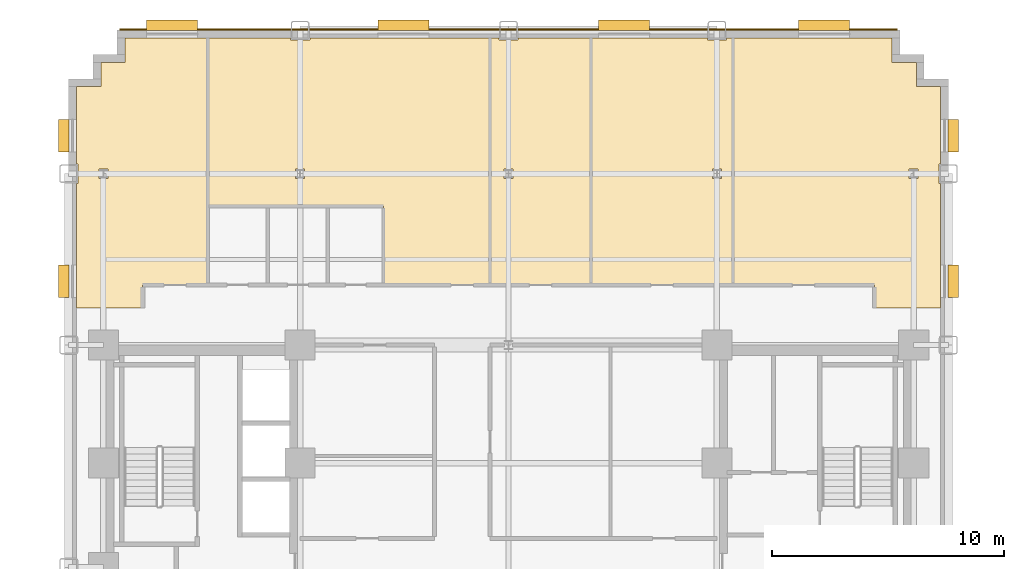
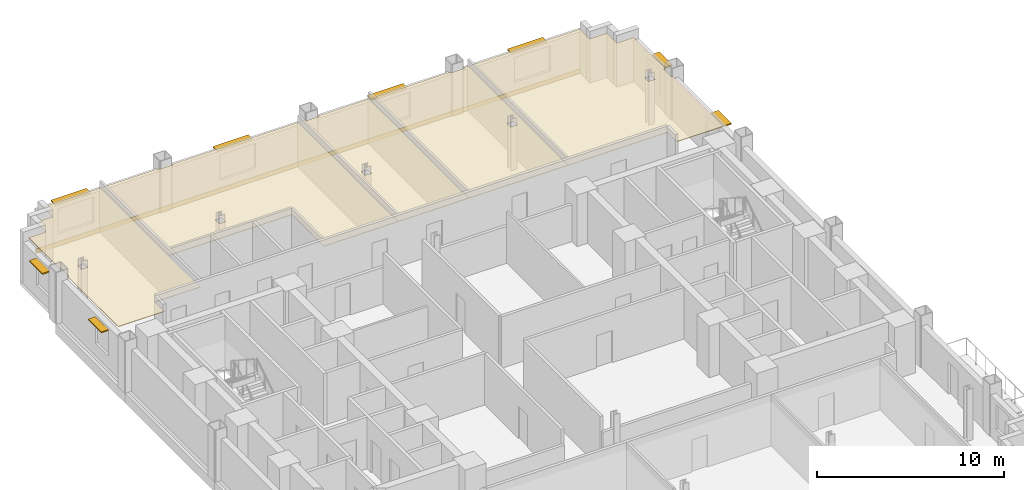
# One storey, part 12 of 12: 8 shading devices, 6 coverings.
"""IFC4 building model written with IfcOpenShell, lengths in metres."""

import ifcopenshell
import ifcopenshell.guid

model = None  # the IFC model being written
_history = None  # IfcOwnerHistory: only IFC2X3 demands one
_inside = {}  # id of a spatial element -> (the spatial element, [elements in it])
_under = {}  # id of a project, library or spatial element -> (it, [spatial elements below it])
_declared = {}  # id of a project -> (the project, [libraries it declares])
_typed = {}  # id of a type object -> (the type object, [elements of that type])
_made_of = {}  # id of a material, layer set ... -> (it, [elements and type objects made of it])


def new_model(schema):
    """Start an empty IFC model of exactly this schema.

    Asked for "IFC4X3", IfcOpenShell would pick the latest addendum, in which some entities
    have other attributes; the version numbers below select the first issue.
    IFC2X3 requires an IfcOwnerHistory on every rooted entity: one is made here for all.
    """
    global model, _history
    if schema == "IFC4X3":
        model = ifcopenshell.file(schema_version=(4, 3, 0, 0))
    else:
        model = ifcopenshell.file(schema=schema)
    _inside.clear()
    _under.clear()
    _declared.clear()
    _typed.clear()
    _made_of.clear()
    _history = None
    if model.schema == "IFC2X3":
        org = make("IfcOrganization", Name="unknown")
        user = make(
            "IfcPersonAndOrganization",
            ThePerson=make("IfcPerson", FamilyName="unknown"),
            TheOrganization=org,
        )
        app = make(
            "IfcApplication",
            ApplicationDeveloper=org,
            Version="unknown",
            ApplicationFullName="unknown",
            ApplicationIdentifier="unknown",
        )
        _history = make(
            "IfcOwnerHistory",
            OwningUser=user,
            OwningApplication=app,
            ChangeAction="ADDED",
            CreationDate=0,
        )
    return model


def make(cls, **values):
    """One entity of the class cls with the attributes given. An attribute that is None is left unset."""
    return model.create_entity(
        cls, **{name: value for name, value in values.items() if value is not None}
    )


def rooted(cls, **values):
    """An entity with a GlobalId (a new one), such as an element, a storey or a relation."""
    return make(cls, GlobalId=ifcopenshell.guid.new(), OwnerHistory=_history, **values)


def si_unit(unit_type, name, prefix=None):
    """IfcSIUnit, for example si_unit("LENGTHUNIT", "METRE", prefix="MILLI")."""
    return make("IfcSIUnit", UnitType=unit_type, Prefix=prefix, Name=name)


def assignment(units):
    """IfcUnitAssignment: the units of a project."""
    return None if units is None else make("IfcUnitAssignment", Units=units)


def point(xyz):
    """IfcCartesianPoint."""
    return None if xyz is None else make("IfcCartesianPoint", Coordinates=xyz)


def direction(xyz):
    """IfcDirection."""
    return None if xyz is None else make("IfcDirection", DirectionRatios=xyz)


def frame(location, z_axis=None, x_axis=None):
    """IfcAxis2Placement3D, a coordinate frame: its origin and axes. An axis left out is left unset."""
    return make(
        "IfcAxis2Placement3D",
        Location=point(location),
        Axis=direction(z_axis),
        RefDirection=direction(x_axis),
    )


def frame_2d(location, x_axis=None):
    """IfcAxis2Placement2D, a coordinate frame in the plane: its origin and x axis."""
    return make(
        "IfcAxis2Placement2D", Location=point(location), RefDirection=direction(x_axis)
    )


def origin():
    """The frame at (0, 0, 0) with its axes left unset."""
    return frame((0.0, 0.0, 0.0))


def origin_2d():
    """The frame at (0, 0) in the plane with its x axis left unset."""
    return frame_2d((0.0, 0.0))


def place(relative_to, where):
    """IfcLocalPlacement: puts the frame where relative to a parent placement (None: the world)."""
    return make(
        "IfcLocalPlacement", PlacementRelTo=relative_to, RelativePlacement=where
    )


def context(
    kind, dimensions, precision=None, world=None, true_north=None, identifier=None
):
    """IfcGeometricRepresentationContext, for example the 3D "Model" context."""
    return make(
        "IfcGeometricRepresentationContext",
        ContextIdentifier=identifier,
        ContextType=kind,
        CoordinateSpaceDimension=dimensions,
        Precision=precision,
        WorldCoordinateSystem=world,
        TrueNorth=true_north,
    )


def subcontext(parent, identifier, kind, view, scale=None):
    """IfcGeometricRepresentationSubContext, for example "Body" below "Model"."""
    return make(
        "IfcGeometricRepresentationSubContext",
        ContextIdentifier=identifier,
        ContextType=kind,
        ParentContext=parent,
        TargetScale=scale,
        TargetView=view,
    )


def project(units=None, contexts=None):
    """IfcProject with its units and contexts."""
    return rooted(
        "IfcProject",
        Name="project",
        RepresentationContexts=contexts,
        UnitsInContext=assignment(units),
    )


def spatial(cls, under=None, at=None, **own):
    """A site, building, storey or space (cls), placed at a placement, below another one or the project."""
    s = rooted(cls, ObjectPlacement=at, **own)
    if under is not None:
        _under.setdefault(under.id(), (under, []))[1].append(s)
    return s


def polyline(points):
    """IfcPolyline through the points."""
    return make("IfcPolyline", Points=[point(p) for p in points])


def profile(cls, at=None, kind="AREA", **sizes):
    """A parametric profile (cls). Its sizes go by their IFC names, for example OverallWidth=200.0."""
    return make(cls, ProfileType=kind, Position=at, **sizes)


def rectangle(**sizes):
    """IfcRectangleProfileDef."""
    return profile("IfcRectangleProfileDef", **sizes)


def outline(outer, holes=None, kind="AREA"):
    """IfcArbitraryClosedProfileDef: a profile drawn as a closed curve; with holes, ...WithVoids."""
    if holes is None:
        return make("IfcArbitraryClosedProfileDef", ProfileType=kind, OuterCurve=outer)
    return make(
        "IfcArbitraryProfileDefWithVoids",
        ProfileType=kind,
        OuterCurve=outer,
        InnerCurves=holes,
    )


def extrude(swept, where, along, depth):
    """IfcExtrudedAreaSolid: the profile swept, set in the frame where, extruded along a direction by depth."""
    return make(
        "IfcExtrudedAreaSolid",
        SweptArea=swept,
        Position=where,
        ExtrudedDirection=direction(along),
        Depth=depth,
    )


def shape(context_of_items, identifier, shape_type, items):
    """IfcShapeRepresentation: the items that make up one representation, for example the "Body"."""
    return make(
        "IfcShapeRepresentation",
        ContextOfItems=context_of_items,
        RepresentationIdentifier=identifier,
        RepresentationType=shape_type,
        Items=items,
    )


def source(mapping_origin, context_of_items, identifier, shape_type, items):
    """IfcRepresentationMap: a shape defined once, which mapped items show again and again."""
    return make(
        "IfcRepresentationMap",
        MappingOrigin=mapping_origin,
        MappedRepresentation=shape(context_of_items, identifier, shape_type, items),
    )


def transform(
    local_origin,
    x_axis=None,
    y_axis=None,
    z_axis=None,
    scale=None,
    scale2=None,
    scale3=None,
    uniform=True,
):
    """IfcCartesianTransformationOperator3D, or its non-uniform kind. x_axis, y_axis, z_axis: its Axis1, 2, 3."""
    if uniform:
        return make(
            "IfcCartesianTransformationOperator3D",
            Axis1=direction(x_axis),
            Axis2=direction(y_axis),
            LocalOrigin=point(local_origin),
            Scale=scale,
            Axis3=direction(z_axis),
        )
    return make(
        "IfcCartesianTransformationOperator3DnonUniform",
        Axis1=direction(x_axis),
        Axis2=direction(y_axis),
        LocalOrigin=point(local_origin),
        Scale=scale,
        Axis3=direction(z_axis),
        Scale2=scale2,
        Scale3=scale3,
    )


def mapped(mapping_source, mapping_target):
    """IfcMappedItem: shows the shape of a source again, moved by a transform."""
    return make(
        "IfcMappedItem", MappingSource=mapping_source, MappingTarget=mapping_target
    )


def material(Name=None, Category=None):
    """IfcMaterial."""
    return make("IfcMaterial", Name=Name, Category=Category)


def layer(
    of_material, thickness, ventilated=None, Name=None, Category=None, Priority=None
):
    """IfcMaterialLayer: one layer of a wall or slab, of a material (None: an air gap)."""
    return make(
        "IfcMaterialLayer",
        Material=of_material,
        LayerThickness=thickness,
        IsVentilated=ventilated,
        Name=Name,
        Category=Category,
        Priority=Priority,
    )


def layer_set(layers, Name=None):
    """IfcMaterialLayerSet."""
    return make("IfcMaterialLayerSet", MaterialLayers=layers, LayerSetName=Name)


def made_of(thing, what):
    """Note that an element or type object is made of a material, layer set ...; save() writes the relation."""
    if what is not None:
        _made_of.setdefault(what.id(), (what, []))[1].append(thing)
    return thing


def type_object(cls, material=None, **own):
    """A type object (cls), such as IfcWallType, which elements share."""
    return made_of(rooted(cls, **own), material)


def type_shapes(of_type, sources):
    """Give a type object the sources (RepresentationMaps) that its elements show as mapped items."""
    of_type.RepresentationMaps = sources


def element(
    cls,
    number,
    at=None,
    inside=None,
    cuts=None,
    type_object=None,
    material=None,
    context=None,
    identifier="Body",
    shape_type=None,
    held_by="IfcProductDefinitionShape",
    body=None,
    shapes=None,
    **own,
):
    """One element of the class cls, such as IfcWall. Its Tag is "e" and its number.

    at: its placement. inside: the storey or other place that contains it. cuts: it is an
    opening in that element (IfcRelVoidsElement). A single representation is given by context,
    identifier, shape_type and body (its items); several are given by shapes. held_by: the class
    of the entity that holds the representations. save() writes the other relations.
    """
    e = rooted(cls, Tag="e%d" % number, ObjectPlacement=at, **own)
    if body is not None:
        shapes = [shape(context, identifier, shape_type, body)]
    if shapes is not None:
        e.Representation = make(held_by, Representations=shapes)
    if inside is not None:
        _inside.setdefault(inside.id(), (inside, []))[1].append(e)
    if cuts is not None:
        rooted(
            "IfcRelVoidsElement", RelatingBuildingElement=cuts, RelatedOpeningElement=e
        )
    if type_object is not None:
        _typed.setdefault(type_object.id(), (type_object, []))[1].append(e)
    return made_of(e, material)


def aggregate(whole, parts):
    """IfcRelAggregates: a whole, such as a stair, and the parts it consists of."""
    return rooted("IfcRelAggregates", RelatingObject=whole, RelatedObjects=parts)


def save(model, path):
    """Write the relations noted so far, then the file.

    IfcRelAggregates (storeys below a building ...), IfcRelContainedInSpatialStructure (elements
    in a storey), IfcRelDefinesByType, IfcRelAssociatesMaterial and IfcRelDeclares: one each for
    every whole, place, type object, material and project.
    """
    for whole, parts in _under.values():
        aggregate(whole, parts)
    for where, things in _inside.values():
        rooted(
            "IfcRelContainedInSpatialStructure",
            RelatedElements=things,
            RelatingStructure=where,
        )
    for kind, things in _typed.values():
        rooted("IfcRelDefinesByType", RelatedObjects=things, RelatingType=kind)
    for what, things in _made_of.values():
        rooted("IfcRelAssociatesMaterial", RelatedObjects=things, RelatingMaterial=what)
    for by, libraries in _declared.values():
        rooted("IfcRelDeclares", RelatingContext=by, RelatedDefinitions=libraries)
    model.write(path)


model = new_model("IFC4")

# Units and contexts
model_context = context("Model", 3, precision=1e-05, world=origin(), true_north=direction((0.0, 1.0)))
body_context = subcontext(model_context, "Body", "Model", "MODEL_VIEW")
ifc_project = project(units=[si_unit("LENGTHUNIT", "METRE"), si_unit("AREAUNIT", "SQUARE_METRE"), si_unit("VOLUMEUNIT", "CUBIC_METRE"), si_unit("PLANEANGLEUNIT", "RADIAN"), si_unit("MASSUNIT", "GRAM", prefix="KILO")], contexts=[model_context])

# Site, building, storey
site_placement = place(None, origin())
site = spatial("IfcSite", under=ifc_project, at=site_placement, CompositionType="ELEMENT")
building_placement = place(site_placement, origin())
building = spatial("IfcBuilding", under=site, at=building_placement, Name="Nuvemarco Arch Tower", CompositionType="ELEMENT")
storey_placement = place(building_placement, frame((0.0, 0.0, 45.85009765625)))
storey = spatial("IfcBuildingStorey", under=building, at=storey_placement, Name="L11", CompositionType="ELEMENT", Elevation=45.85009765625)

# Coverings
ifc_material_1 = material(Name="Mineral acoustic ceiling tile")
ifc_layer_1 = layer(ifc_material_1, 0.0400390625, Name="COV-ACOUSTIC-CLG")
ifc_layer_set_1 = layer_set([ifc_layer_1], Name="Mineral acoustic ceiling tile")
covering_type_1 = type_object("IfcCoveringType", Name="COV-ACOUSTIC-CLG", PredefinedType="CEILING", material=ifc_layer_set_1)
covering_1_placement = place(storey_placement, frame((0.0, 0.0, 2.849853515625)))
element("IfcCovering", 1, at=covering_1_placement, inside=storey, type_object=covering_type_1, Name="L11 suspended acoustic ceiling 1", PredefinedType="CEILING", context=body_context, shape_type="SweptSolid", body=[
    extrude(outline(polyline([(-10.39990234375, 15.60009765625), (-13.0, 15.60009765625), (-13.0, 22.860107421875), (-9.4150390625, 22.860107421875), (-9.4150390625, 22.784912109375), (-8.5849609375, 22.784912109375), (-8.5849609375, 22.860107421875), (-0.800048828125, 22.860107421875), (-0.800048828125, 12.199951171875), (-3.199951171875, 12.199951171875), (-5.39990234375, 12.199951171875), (-5.39990234375, 15.60009765625), (-7.800048828125, 15.60009765625), (-10.39990234375, 15.60009765625)]), holes=[polyline([(-8.804931640625, 16.804931640625), (-8.804931640625, 17.195068359375), (-9.195068359375, 17.195068359375), (-9.195068359375, 16.804931640625), (-8.804931640625, 16.804931640625)])]), origin(), (0.0, 0.0, 1.0), 0.0400390625),
])
covering_2_placement = place(storey_placement, frame((0.0, 0.0, 2.849853515625)))
element("IfcCovering", 2, at=covering_2_placement, inside=storey, type_object=covering_type_1, Name="L11 suspended acoustic ceiling 3", PredefinedType="CEILING", context=body_context, shape_type="SweptSolid", body=[
    extrude(outline(polyline([(18.659912109375, 20.760009765625), (18.659912109375, 17.4150390625), (18.5849609375, 17.4150390625), (18.5849609375, 16.5849609375), (18.659912109375, 16.5849609375), (18.659912109375, 11.199951171875), (15.800048828125, 11.199951171875), (15.800048828125, 12.199951171875), (9.68994140625, 12.199951171875), (9.68994140625, 22.860107421875), (16.56005859375, 22.860107421875), (16.56005859375, 21.81005859375), (17.610107421875, 21.81005859375), (17.610107421875, 20.760009765625), (18.659912109375, 20.760009765625)]), holes=[polyline([(17.695068359375, 16.804931640625), (17.695068359375, 17.195068359375), (17.304931640625, 17.195068359375), (17.304931640625, 16.804931640625), (17.695068359375, 16.804931640625)])]), origin(), (0.0, 0.0, 1.0), 0.0400390625),
])
covering_3_placement = place(storey_placement, frame((0.0, 0.0, 2.849853515625)))
element("IfcCovering", 3, at=covering_3_placement, inside=storey, type_object=covering_type_1, Name="L11 suspended acoustic ceiling 7", PredefinedType="CEILING", context=body_context, shape_type="SweptSolid", body=[
    extrude(outline(polyline([(9.68994140625, 12.199951171875), (3.56005859375, 12.199951171875), (3.56005859375, 22.860107421875), (8.5849609375, 22.860107421875), (8.5849609375, 22.784912109375), (9.4150390625, 22.784912109375), (9.4150390625, 22.860107421875), (9.68994140625, 22.860107421875), (9.68994140625, 12.199951171875)]), holes=[polyline([(9.195068359375, 17.195068359375), (8.804931640625, 17.195068359375), (8.804931640625, 16.804931640625), (9.195068359375, 16.804931640625), (9.195068359375, 17.195068359375)])]), origin(), (0.0, 0.0, 1.0), 0.0400390625),
])
covering_4_placement = place(storey_placement, frame((0.0, 0.0, 2.849853515625)))
element("IfcCovering", 4, at=covering_4_placement, inside=storey, type_object=covering_type_1, Name="L11 suspended acoustic ceiling 8", PredefinedType="CEILING", context=body_context, shape_type="SweptSolid", body=[
    extrude(outline(polyline([(-18.5849609375, 16.5849609375), (-18.5849609375, 17.4150390625), (-18.659912109375, 17.4150390625), (-18.659912109375, 20.760009765625), (-17.610107421875, 20.760009765625), (-17.610107421875, 21.81005859375), (-16.56005859375, 21.81005859375), (-16.56005859375, 22.860107421875), (-13.0, 22.860107421875), (-13.0, 15.60009765625), (-13.0, 12.199951171875), (-15.800048828125, 12.199951171875), (-15.800048828125, 11.199951171875), (-18.659912109375, 11.199951171875), (-18.659912109375, 16.5849609375), (-18.5849609375, 16.5849609375)]), holes=[polyline([(-17.304931640625, 16.804931640625), (-17.304931640625, 17.195068359375), (-17.695068359375, 17.195068359375), (-17.695068359375, 16.804931640625), (-17.304931640625, 16.804931640625)])]), origin(), (0.0, 0.0, 1.0), 0.0400390625),
])
covering_5_placement = place(storey_placement, frame((0.0, 0.0, 2.849853515625)))
element("IfcCovering", 5, at=covering_5_placement, inside=storey, type_object=covering_type_1, Name="L11 suspended acoustic ceiling 9", PredefinedType="CEILING", context=body_context, shape_type="SweptSolid", body=[
    extrude(outline(polyline([(3.56005859375, 12.199951171875), (-0.800048828125, 12.199951171875), (-0.800048828125, 22.860107421875), (-0.4150390625, 22.860107421875), (-0.4150390625, 22.784912109375), (0.4150390625, 22.784912109375), (0.4150390625, 22.860107421875), (3.56005859375, 22.860107421875), (3.56005859375, 12.199951171875)]), holes=[polyline([(0.195068359375, 16.804931640625), (0.195068359375, 17.195068359375), (-0.195068359375, 17.195068359375), (-0.195068359375, 16.804931640625), (0.195068359375, 16.804931640625)])]), origin(), (0.0, 0.0, 1.0), 0.0400390625),
])

# Shading devices
ifc_material_2 = material(Name="Anodised aluminium 6063-T6", Category="aluminium")
shading_device_type_1 = type_object("IfcShadingDeviceType", Name="SHD-BRISE-SOLEIL", PredefinedType="USERDEFINED", material=ifc_material_2)
shared_shape_1 = source(origin(), body_context, "Body", "SweptSolid", [
    extrude(rectangle(XDim=2.199951171875, YDim=0.449951171875, at=origin_2d()), origin(), (0.0, 0.0, 1.0), 0.080078125),
])
type_shapes(shading_device_type_1, [shared_shape_1])
for number, where, z_axis, x_axis, name in (
    (6, (-14.528564453125, 23.4150390625, 2.454833984375), (0.0, 0.0, 1.0), (1.0, 0.0, 0.0), "L11 horizontal brise-soleil sunshade"),
    (7, (-4.54296875, 23.4150390625, 2.454833984375), (0.0, 0.0, 1.0), (1.0, 0.0, 0.0), "L11 horizontal brise-soleil sunshade"),
    (8, (4.992919921875, 23.4150390625, 2.454833984375), (0.0, 0.0, 1.0), (1.0, 0.0, 0.0), "L11 horizontal brise-soleil sunshade"),
    (9, (13.628662109375, 23.4150390625, 2.454833984375), (0.0, 0.0, 1.0), (1.0, 0.0, 0.0), "L11 horizontal brise-soleil sunshade"),
):
    element("IfcShadingDevice", number, at=place(storey_placement, frame(where, z_axis=z_axis, x_axis=x_axis)), inside=storey, type_object=shading_device_type_1, Name=name, ObjectType="SUNSHADE", PredefinedType="USERDEFINED", context=body_context, shape_type="MappedRepresentation", body=[
        mapped(shared_shape_1, transform((0.0, 0.0, 0.0), scale=1.0)),
    ])
shading_device_type_2 = type_object("IfcShadingDeviceType", Name="SHD-BRISE-NARROW", PredefinedType="USERDEFINED", material=ifc_material_2)
shared_shape_2 = source(origin(), body_context, "Body", "SweptSolid", [
    extrude(rectangle(XDim=1.39990234375, YDim=0.449951171875, at=origin_2d()), origin(), (0.0, 0.0, 1.0), 0.080078125),
])
type_shapes(shading_device_type_2, [shared_shape_2])
for number, where, z_axis, x_axis, name in (
    (10, (19.215087890625, 12.3525390625, 2.454833984375), (0.0, 0.0, 1.0), (0.0, 1.0, 0.0), "L11 horizontal brise-soleil sunshade"),
    (11, (19.215087890625, 18.6435546875, 2.454833984375), (0.0, 0.0, 1.0), (0.0, 1.0, 0.0), "L11 horizontal brise-soleil sunshade"),
    (12, (-19.215087890625, 12.3525390625, 2.454833984375), (0.0, 0.0, 1.0), (0.0, 1.0, 0.0), "L11 horizontal brise-soleil sunshade"),
    (13, (-19.215087890625, 18.6435546875, 2.454833984375), (0.0, 0.0, 1.0), (0.0, 1.0, 0.0), "L11 horizontal brise-soleil sunshade"),
):
    element("IfcShadingDevice", number, at=place(storey_placement, frame(where, z_axis=z_axis, x_axis=x_axis)), inside=storey, type_object=shading_device_type_2, Name=name, ObjectType="SUNSHADE", PredefinedType="USERDEFINED", context=body_context, shape_type="MappedRepresentation", body=[
        mapped(shared_shape_2, transform((0.0, 0.0, 0.0), scale=1.0)),
    ])

# Covering
ifc_material_3 = material(Name="Precast concrete C45/55", Category="concrete")
ifc_layer_2 = layer(ifc_material_3, 0.06005859375, Name="COV-SPANDREL-CLAD")
ifc_layer_set_2 = layer_set([ifc_layer_2], Name="Precast concrete C45/55")
covering_type_2 = type_object("IfcCoveringType", Name="COV-SPANDREL-CLAD", PredefinedType="CLADDING", material=ifc_layer_set_2)
shared_shape_3 = source(origin(), body_context, "Body", "SweptSolid", [
    extrude(rectangle(XDim=33.60009765625, YDim=0.06005859375, at=origin_2d()), origin(), (0.0, 0.0, 1.0), 0.280029296875),
])
type_shapes(covering_type_2, [shared_shape_3])
covering_6_placement = place(storey_placement, frame((0.0, 23.22900390625, -0.2802734375), z_axis=(0.0, 0.0, 1.0), x_axis=(1.0, 0.0, 0.0)))
element("IfcCovering", 14, at=covering_6_placement, inside=storey, type_object=covering_type_2, Name="L11 precast spandrel edge cladding north", PredefinedType="CLADDING", context=body_context, shape_type="MappedRepresentation", body=[
    mapped(shared_shape_3, transform((0.0, 0.0, 0.0), scale=1.0)),
])

save(model, "model.ifc")
